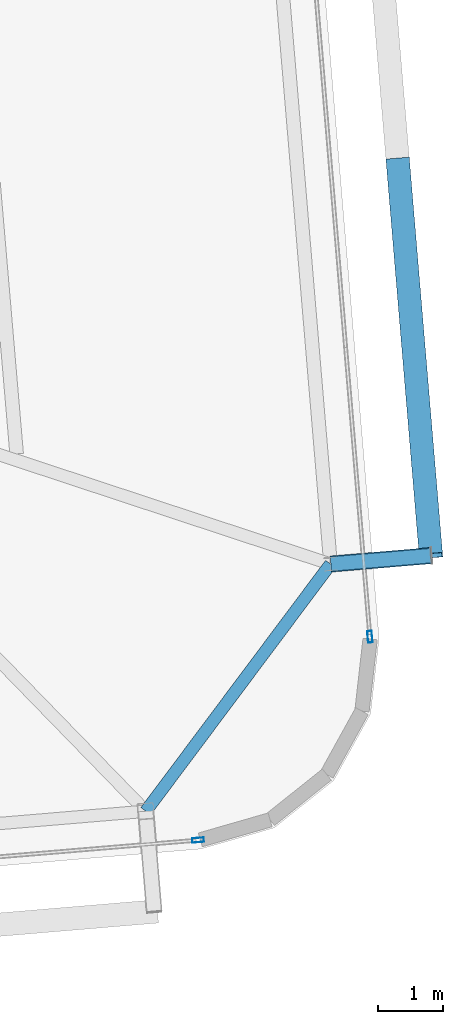
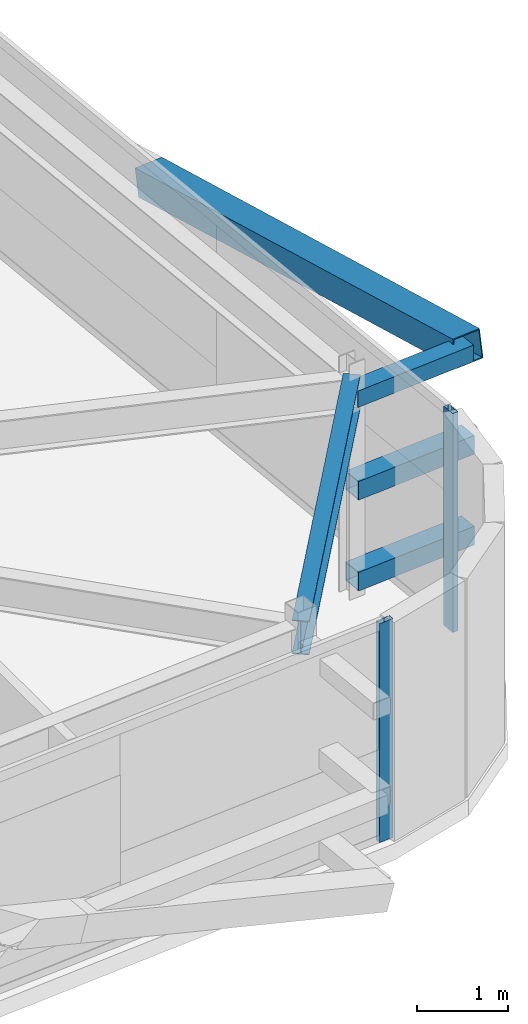
# One storey, part 18 of 39: 6 members, 1 beam, 2 elements without a shape of their own.
"""IFC4 building model written with IfcOpenShell, lengths in metres."""

from ifc_helpers import new_model, si_unit, direction, frame, origin, origin_2d, place, context, subcontext, project, spatial, hollow_rectangle, i_section, extrude, source, transform, mapped, material, layer, layer_set, material_profile, profile_set, type_object, element, aggregate, save


model = new_model("IFC4")

# Units and contexts
model_context = context("Model", 3, precision=1e-05, world=origin(), true_north=direction((0.0, 1.0)))
body_context = subcontext(model_context, "Body", "Model", "MODEL_VIEW")
ifc_project = project(units=[si_unit("LENGTHUNIT", "METRE"), si_unit("AREAUNIT", "SQUARE_METRE"), si_unit("VOLUMEUNIT", "CUBIC_METRE"), si_unit("PLANEANGLEUNIT", "RADIAN"), si_unit("MASSUNIT", "GRAM", prefix="KILO")], contexts=[model_context])

# Site, building, storey
site_placement = place(None, origin())
site = spatial("IfcSite", under=ifc_project, at=site_placement, CompositionType="ELEMENT")
building_placement = place(site_placement, origin())
building = spatial("IfcBuilding", under=site, at=building_placement, Name="Taldren Reach Tower", CompositionType="ELEMENT")
storey_placement = place(building_placement, frame((0.0, 0.0, 175.699951171875)))
storey = spatial("IfcBuildingStorey", under=building, at=storey_placement, Name="L53", CompositionType="ELEMENT", Elevation=175.699951171875)

# Beam
ifc_material_1 = material(Name="Steel Gr 350 (350PLUS)", Category="steel")
ifc_material_profile_1 = material_profile(ifc_material_1, i_section(OverallWidth=0.18994140625, OverallDepth=0.4541015625, WebThickness=0.008544921875, FlangeThickness=0.0126953125, at=origin_2d()), Name="460UB67.1")
ifc_profile_set_1 = profile_set([ifc_material_profile_1], Name="Steel Gr 350 (350PLUS)")
beam_type = type_object("IfcBeamType", Name="SP-UB460B", PredefinedType="SPANDREL", material=ifc_profile_set_1)
shared_shape_1 = source(origin(), body_context, "Body", "SweptSolid", [
    extrude(i_section(OverallWidth=0.18994140625, OverallDepth=0.4541015625, WebThickness=0.008544921875, FlangeThickness=0.0126953125, at=origin_2d()), origin(), (0.0, 0.0, 1.0), 4.746337890625),
])
beam_placement = place(storey_placement, frame((58.796142578125, 5.516357421875, 2.703125), z_axis=(0.598797715541, 0.800900303323, 0.0), x_axis=(-0.800900303323, 0.598797715541, 0.0)))
element("IfcBeam", 1, at=beam_placement, inside=storey, type_object=beam_type, Name="Perimeter spandrel B4 S6-E1 L53", PredefinedType="SPANDREL", context=body_context, shape_type="MappedRepresentation", body=[
    mapped(shared_shape_1, transform((0.0, 0.0, 0.0), scale=1.0)),
])

# Members
ifc_material_2 = material(Name="Steel Gr 450 (C450L0)", Category="steel")
ifc_material_profile_2 = material_profile(ifc_material_2, hollow_rectangle(XDim=0.219970703125, YDim=0.219970703125, WallThickness=0.00830078125, at=origin_2d()), Name="220x220x8.2SHS")
ifc_profile_set_2 = profile_set([ifc_material_profile_2], Name="Steel Gr 450 (C450L0)")
member_type_1 = type_object("IfcMemberType", Name="MB-TIE219", PredefinedType="STRUT", material=ifc_profile_set_2)
shared_shape_2 = source(origin(), body_context, "Body", "SweptSolid", [
    extrude(hollow_rectangle(XDim=0.219970703125, YDim=0.219970703125, WallThickness=0.00830078125, at=origin_2d()), origin(), (0.0, 0.0, 1.0), 1.545166015625),
])
member_1_placement = place(storey_placement, frame((61.642822265625, 9.31787109375, 2.650146484375), z_axis=(0.996487766615, 0.083738467783, 0.0), x_axis=(-0.083738467783, 0.996487766615, 0.0)))
element("IfcMember", 2, at=member_1_placement, inside=storey, type_object=member_type_1, Name="Exoskeleton diaphragm tie strut B4-E1 L53", PredefinedType="STRUT", context=body_context, shape_type="MappedRepresentation", body=[
    mapped(shared_shape_2, transform((0.0, 0.0, 0.0), scale=1.0)),
])
ifc_material_3 = material(Name="Steel Gr 350 (C350L0)", Category="steel")
ifc_material_profile_3 = material_profile(ifc_material_3, hollow_rectangle(XDim=0.25, YDim=0.25, WallThickness=0.010009765625, at=origin_2d()), Name="250x250x10.0SHS")
ifc_profile_set_3 = profile_set([ifc_material_profile_3], Name="Steel Gr 350 (C350L0)")
member_type_2 = type_object("IfcMemberType", Name="MB-POST250", PredefinedType="POST", material=ifc_profile_set_3)
shared_shape_3 = source(origin(), body_context, "Body", "SweptSolid", [
    extrude(hollow_rectangle(XDim=0.25, YDim=0.25, WallThickness=0.010009765625, at=origin_2d()), origin(), (0.0, 0.0, 1.0), 1.545166015625),
])
for number, where, z_axis, x_axis, name in (
    (3, (61.642822265625, 9.31787109375, 0.219970703125), (0.996487766615, 0.083738467783, 0.0), (-0.083738467783, 0.996487766615, 0.0), "Exoskeleton base diaphragm tie strut B4-E1 L53"),
    (4, (61.642822265625, 9.31787109375, 1.43505859375), (0.996487766615, 0.083738467783, 0.0), (-0.083738467783, 0.996487766615, 0.0), "Exoskeleton mid-tier diaphragm tie B4-E1 L53"),
):
    element("IfcMember", number, at=place(storey_placement, frame(where, z_axis=z_axis, x_axis=x_axis)), inside=storey, type_object=member_type_2, Name=name, PredefinedType="POST", context=body_context, shape_type="MappedRepresentation", body=[
        mapped(shared_shape_3, transform((0.0, 0.0, 0.0), scale=1.0)),
    ])
ifc_material_profile_4 = material_profile(ifc_material_2, hollow_rectangle(XDim=0.360107421875, YDim=0.360107421875, WallThickness=0.0126953125, at=origin_2d()), Name="360x360x12.7SHS")
ifc_profile_set_4 = profile_set([ifc_material_profile_4], Name="Steel Gr 450 (C450L0)")
member_type_3 = type_object("IfcMemberType", Name="MB-EXO356", PredefinedType="BRACE", material=ifc_profile_set_4)
shared_shape_4 = source(origin(), body_context, "Body", "SweptSolid", [
    extrude(hollow_rectangle(XDim=0.360107421875, YDim=0.360107421875, WallThickness=0.0126953125, at=origin_2d()), origin(), (0.0, 0.0, 1.0), 6.219970703125),
])
member_2_placement = place(storey_placement, frame((62.672119140625, 15.52587890625, 1.43505859375), z_axis=(0.082075564879, -0.977291924611, 0.195356330179), x_axis=(0.996492003099, 0.083688038336, 0.0)))
element("IfcMember", 5, at=member_2_placement, inside=storey, type_object=member_type_3, Name="Exoskeleton Diagrid Brace B4-E1 L53", PredefinedType="BRACE", context=body_context, shape_type="MappedRepresentation", body=[
    mapped(shared_shape_4, transform((0.0, 0.0, 0.0), scale=1.0)),
])

# Curtain wall, member
ifc_material_4 = material(Name="Aluminium and Low-E Glass Unitised System", Category="aluminium")
ifc_layer = layer(ifc_material_4, 0.159912109375)
ifc_layer_set = layer_set([ifc_layer], Name="Aluminium and Low-E Glass Unitised System")
curtain_wall_type = type_object("IfcCurtainWallType", Name="CW-SYS-5", PredefinedType="NOTDEFINED", material=ifc_layer_set)
curtain_wall_1_placement = place(storey_placement, origin())
curtain_wall_1 = element("IfcCurtainWall", 6, at=curtain_wall_1_placement, inside=storey, type_object=curtain_wall_type, Name="Unitised curtain wall CW-L53-S", PredefinedType="NOTDEFINED")
ifc_material_5 = material(Name="Anodised Aluminium 6063-T6", Category="aluminium")
ifc_material_profile_5 = material_profile(ifc_material_5, hollow_rectangle(XDim=0.070068359375, YDim=0.179931640625, WallThickness=0.00390625, at=origin_2d()), Name="ALU-180x70x4RHS")
ifc_profile_set_5 = profile_set([ifc_material_profile_5], Name="Anodised Aluminium 6063-T6")
member_type_4 = type_object("IfcMemberType", Name="CW-MUL-180", PredefinedType="MULLION", material=ifc_profile_set_5)
shared_shape_5 = source(origin(), body_context, "Body", "SweptSolid", [
    extrude(hollow_rectangle(XDim=0.070068359375, YDim=0.179931640625, WallThickness=0.00390625, at=origin_2d()), origin(), (0.0, 0.0, 1.0), 2.929931640625),
])
member_3_placement = place(storey_placement, frame((59.60107421875, 5.072265625, 0.0), z_axis=(0.0, 0.0, 1.0), x_axis=(-0.083677894865, 0.996492854922, 0.0)))
member_3 = element("IfcMember", 7, at=member_3_placement, type_object=member_type_4, Name="CW-5 mullion 5", PredefinedType="MULLION", context=body_context, shape_type="MappedRepresentation", body=[
    mapped(shared_shape_5, transform((0.0, 0.0, 0.0), scale=1.0)),
])
aggregate(curtain_wall_1, [member_3])

curtain_wall_2_placement = place(storey_placement, origin())
curtain_wall_2 = element("IfcCurtainWall", 8, at=curtain_wall_2_placement, inside=storey, type_object=curtain_wall_type, Name="Unitised curtain wall CW-L53-E", PredefinedType="NOTDEFINED")
member_4_placement = place(storey_placement, frame((62.243896484375, 8.199462890625, 0.0), z_axis=(0.0, 0.0, 1.0), x_axis=(-0.996492847789, -0.083677979808, 0.0)))
member_4 = element("IfcMember", 9, at=member_4_placement, type_object=member_type_4, Name="CW-5 mullion 1", PredefinedType="MULLION", context=body_context, shape_type="MappedRepresentation", body=[
    mapped(shared_shape_5, transform((0.0, 0.0, 0.0), scale=1.0)),
])
aggregate(curtain_wall_2, [member_4])

save(model, "model.ifc")
